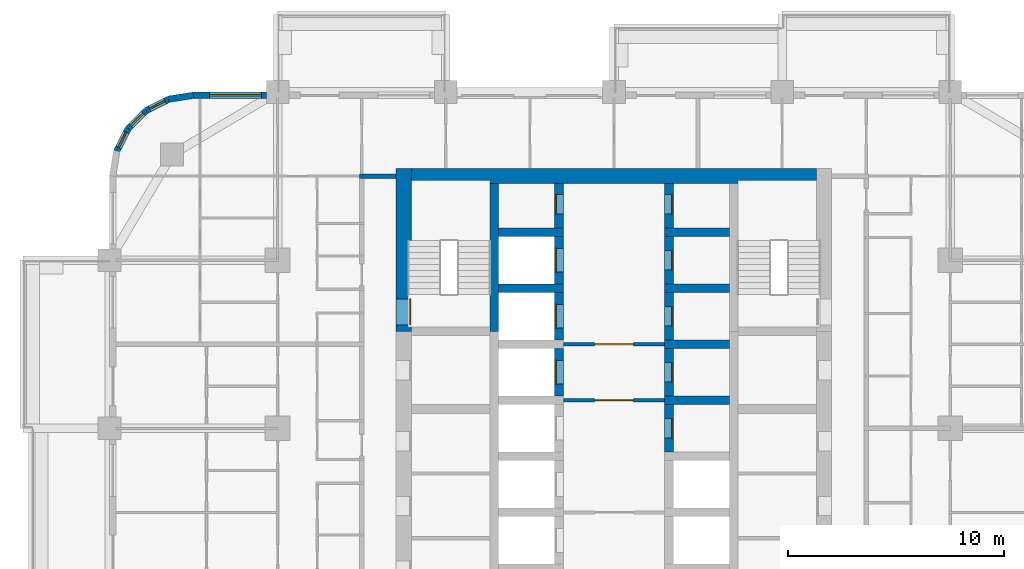
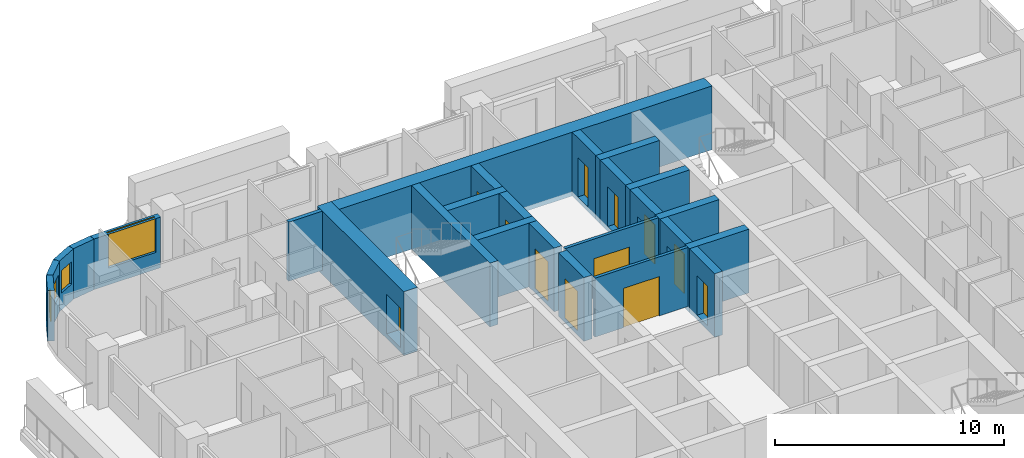
# One storey, part 11 of 18: 26 walls, 12 doors, 4 windows, 16 openings.
"""IFC4 building model written with IfcOpenShell, lengths in metres."""

import ifcopenshell
import ifcopenshell.guid

model = None  # the IFC model being written
_history = None  # IfcOwnerHistory: only IFC2X3 demands one
_inside = {}  # id of a spatial element -> (the spatial element, [elements in it])
_under = {}  # id of a project, library or spatial element -> (it, [spatial elements below it])
_declared = {}  # id of a project -> (the project, [libraries it declares])
_typed = {}  # id of a type object -> (the type object, [elements of that type])
_made_of = {}  # id of a material, layer set ... -> (it, [elements and type objects made of it])


def new_model(schema):
    """Start an empty IFC model of exactly this schema.

    Asked for "IFC4X3", IfcOpenShell would pick the latest addendum, in which some entities
    have other attributes; the version numbers below select the first issue.
    IFC2X3 requires an IfcOwnerHistory on every rooted entity: one is made here for all.
    """
    global model, _history
    if schema == "IFC4X3":
        model = ifcopenshell.file(schema_version=(4, 3, 0, 0))
    else:
        model = ifcopenshell.file(schema=schema)
    _inside.clear()
    _under.clear()
    _declared.clear()
    _typed.clear()
    _made_of.clear()
    _history = None
    if model.schema == "IFC2X3":
        org = make("IfcOrganization", Name="unknown")
        user = make(
            "IfcPersonAndOrganization",
            ThePerson=make("IfcPerson", FamilyName="unknown"),
            TheOrganization=org,
        )
        app = make(
            "IfcApplication",
            ApplicationDeveloper=org,
            Version="unknown",
            ApplicationFullName="unknown",
            ApplicationIdentifier="unknown",
        )
        _history = make(
            "IfcOwnerHistory",
            OwningUser=user,
            OwningApplication=app,
            ChangeAction="ADDED",
            CreationDate=0,
        )
    return model


def make(cls, **values):
    """One entity of the class cls with the attributes given. An attribute that is None is left unset."""
    return model.create_entity(
        cls, **{name: value for name, value in values.items() if value is not None}
    )


def rooted(cls, **values):
    """An entity with a GlobalId (a new one), such as an element, a storey or a relation."""
    return make(cls, GlobalId=ifcopenshell.guid.new(), OwnerHistory=_history, **values)


def si_unit(unit_type, name, prefix=None):
    """IfcSIUnit, for example si_unit("LENGTHUNIT", "METRE", prefix="MILLI")."""
    return make("IfcSIUnit", UnitType=unit_type, Prefix=prefix, Name=name)


def assignment(units):
    """IfcUnitAssignment: the units of a project."""
    return None if units is None else make("IfcUnitAssignment", Units=units)


def point(xyz):
    """IfcCartesianPoint."""
    return None if xyz is None else make("IfcCartesianPoint", Coordinates=xyz)


def direction(xyz):
    """IfcDirection."""
    return None if xyz is None else make("IfcDirection", DirectionRatios=xyz)


def frame(location, z_axis=None, x_axis=None):
    """IfcAxis2Placement3D, a coordinate frame: its origin and axes. An axis left out is left unset."""
    return make(
        "IfcAxis2Placement3D",
        Location=point(location),
        Axis=direction(z_axis),
        RefDirection=direction(x_axis),
    )


def frame_2d(location, x_axis=None):
    """IfcAxis2Placement2D, a coordinate frame in the plane: its origin and x axis."""
    return make(
        "IfcAxis2Placement2D", Location=point(location), RefDirection=direction(x_axis)
    )


def origin():
    """The frame at (0, 0, 0) with its axes left unset."""
    return frame((0.0, 0.0, 0.0))


def place(relative_to, where):
    """IfcLocalPlacement: puts the frame where relative to a parent placement (None: the world)."""
    return make(
        "IfcLocalPlacement", PlacementRelTo=relative_to, RelativePlacement=where
    )


def context(
    kind, dimensions, precision=None, world=None, true_north=None, identifier=None
):
    """IfcGeometricRepresentationContext, for example the 3D "Model" context."""
    return make(
        "IfcGeometricRepresentationContext",
        ContextIdentifier=identifier,
        ContextType=kind,
        CoordinateSpaceDimension=dimensions,
        Precision=precision,
        WorldCoordinateSystem=world,
        TrueNorth=true_north,
    )


def subcontext(parent, identifier, kind, view, scale=None):
    """IfcGeometricRepresentationSubContext, for example "Body" below "Model"."""
    return make(
        "IfcGeometricRepresentationSubContext",
        ContextIdentifier=identifier,
        ContextType=kind,
        ParentContext=parent,
        TargetScale=scale,
        TargetView=view,
    )


def project(units=None, contexts=None):
    """IfcProject with its units and contexts."""
    return rooted(
        "IfcProject",
        Name="project",
        RepresentationContexts=contexts,
        UnitsInContext=assignment(units),
    )


def spatial(cls, under=None, at=None, **own):
    """A site, building, storey or space (cls), placed at a placement, below another one or the project."""
    s = rooted(cls, ObjectPlacement=at, **own)
    if under is not None:
        _under.setdefault(under.id(), (under, []))[1].append(s)
    return s


def profile(cls, at=None, kind="AREA", **sizes):
    """A parametric profile (cls). Its sizes go by their IFC names, for example OverallWidth=200.0."""
    return make(cls, ProfileType=kind, Position=at, **sizes)


def rectangle(**sizes):
    """IfcRectangleProfileDef."""
    return profile("IfcRectangleProfileDef", **sizes)


def extrude(swept, where, along, depth):
    """IfcExtrudedAreaSolid: the profile swept, set in the frame where, extruded along a direction by depth."""
    return make(
        "IfcExtrudedAreaSolid",
        SweptArea=swept,
        Position=where,
        ExtrudedDirection=direction(along),
        Depth=depth,
    )


def shape(context_of_items, identifier, shape_type, items):
    """IfcShapeRepresentation: the items that make up one representation, for example the "Body"."""
    return make(
        "IfcShapeRepresentation",
        ContextOfItems=context_of_items,
        RepresentationIdentifier=identifier,
        RepresentationType=shape_type,
        Items=items,
    )


def material(Name=None, Category=None):
    """IfcMaterial."""
    return make("IfcMaterial", Name=Name, Category=Category)


def layer(
    of_material, thickness, ventilated=None, Name=None, Category=None, Priority=None
):
    """IfcMaterialLayer: one layer of a wall or slab, of a material (None: an air gap)."""
    return make(
        "IfcMaterialLayer",
        Material=of_material,
        LayerThickness=thickness,
        IsVentilated=ventilated,
        Name=Name,
        Category=Category,
        Priority=Priority,
    )


def layer_set(layers, Name=None):
    """IfcMaterialLayerSet."""
    return make("IfcMaterialLayerSet", MaterialLayers=layers, LayerSetName=Name)


def made_of(thing, what):
    """Note that an element or type object is made of a material, layer set ...; save() writes the relation."""
    if what is not None:
        _made_of.setdefault(what.id(), (what, []))[1].append(thing)
    return thing


def type_object(cls, material=None, **own):
    """A type object (cls), such as IfcWallType, which elements share."""
    return made_of(rooted(cls, **own), material)


def element(
    cls,
    number,
    at=None,
    inside=None,
    cuts=None,
    type_object=None,
    material=None,
    context=None,
    identifier="Body",
    shape_type=None,
    held_by="IfcProductDefinitionShape",
    body=None,
    shapes=None,
    **own,
):
    """One element of the class cls, such as IfcWall. Its Tag is "e" and its number.

    at: its placement. inside: the storey or other place that contains it. cuts: it is an
    opening in that element (IfcRelVoidsElement). A single representation is given by context,
    identifier, shape_type and body (its items); several are given by shapes. held_by: the class
    of the entity that holds the representations. save() writes the other relations.
    """
    e = rooted(cls, Tag="e%d" % number, ObjectPlacement=at, **own)
    if body is not None:
        shapes = [shape(context, identifier, shape_type, body)]
    if shapes is not None:
        e.Representation = make(held_by, Representations=shapes)
    if inside is not None:
        _inside.setdefault(inside.id(), (inside, []))[1].append(e)
    if cuts is not None:
        rooted(
            "IfcRelVoidsElement", RelatingBuildingElement=cuts, RelatedOpeningElement=e
        )
    if type_object is not None:
        _typed.setdefault(type_object.id(), (type_object, []))[1].append(e)
    return made_of(e, material)


def fill(opening, filler):
    """IfcRelFillsElement: the door or window that sits in an opening."""
    return rooted(
        "IfcRelFillsElement",
        RelatingOpeningElement=opening,
        RelatedBuildingElement=filler,
    )


def aggregate(whole, parts):
    """IfcRelAggregates: a whole, such as a stair, and the parts it consists of."""
    return rooted("IfcRelAggregates", RelatingObject=whole, RelatedObjects=parts)


def save(model, path):
    """Write the relations noted so far, then the file.

    IfcRelAggregates (storeys below a building ...), IfcRelContainedInSpatialStructure (elements
    in a storey), IfcRelDefinesByType, IfcRelAssociatesMaterial and IfcRelDeclares: one each for
    every whole, place, type object, material and project.
    """
    for whole, parts in _under.values():
        aggregate(whole, parts)
    for where, things in _inside.values():
        rooted(
            "IfcRelContainedInSpatialStructure",
            RelatedElements=things,
            RelatingStructure=where,
        )
    for kind, things in _typed.values():
        rooted("IfcRelDefinesByType", RelatedObjects=things, RelatingType=kind)
    for what, things in _made_of.values():
        rooted("IfcRelAssociatesMaterial", RelatedObjects=things, RelatingMaterial=what)
    for by, libraries in _declared.values():
        rooted("IfcRelDeclares", RelatingContext=by, RelatedDefinitions=libraries)
    model.write(path)


model = new_model("IFC4")

# Units and contexts
model_context = context("Model", 3, precision=1e-05, world=origin(), true_north=direction((0.0, 1.0)))
body_context = subcontext(model_context, "Body", "Model", "MODEL_VIEW")
ifc_project = project(units=[si_unit("LENGTHUNIT", "METRE"), si_unit("AREAUNIT", "SQUARE_METRE"), si_unit("VOLUMEUNIT", "CUBIC_METRE"), si_unit("PLANEANGLEUNIT", "RADIAN"), si_unit("MASSUNIT", "GRAM", prefix="KILO")], contexts=[model_context])

# Site, building, storey
site_placement = place(None, origin())
site = spatial("IfcSite", under=ifc_project, at=site_placement, CompositionType="ELEMENT")
building_placement = place(site_placement, origin())
building = spatial("IfcBuilding", under=site, at=building_placement, Name="Ludao Terraces", CompositionType="ELEMENT")
storey_placement = place(building_placement, frame((0.0, 0.0, 29.699951171875)))
storey = spatial("IfcBuildingStorey", under=building, at=storey_placement, Name="L07", CompositionType="ELEMENT", Elevation=29.699951171875)

# Wall, opening, door
ifc_material_1 = material(Name="Concrete C70", Category="concrete")
ifc_layer_1 = layer(ifc_material_1, 0.699951171875)
ifc_layer_set_1 = layer_set([ifc_layer_1], Name="Core wall 700 C70")
wall_type_1 = type_object("IfcWallType", Name="Core wall 700 C70", PredefinedType="SOLIDWALL", material=ifc_layer_set_1)
wall_1_placement = place(storey_placement, frame((75.25, 77.300048828125, -0.25), z_axis=(0.0, 0.0, 1.0), x_axis=(0.0, 1.0, 0.0)))
wall_1 = element("IfcWall", 1, at=wall_1_placement, inside=storey, type_object=wall_type_1, Name="Core wall L07 outer-W-S1", PredefinedType="SOLIDWALL", context=body_context, shape_type="SweptSolid", body=[
    extrude(rectangle(XDim=7.550048828125, YDim=0.699951171875, at=frame_2d((3.77490234375, 0.0))), origin(), (0.0, 0.0, 1.0), 3.400146484375),
])
opening_1_placement = place(wall_1_placement, frame((0.300048828125, 0.0, 0.25)))
opening_1 = element("IfcOpeningElement", 2, at=opening_1_placement, cuts=wall_1, Name="Opening R02-133", PredefinedType="OPENING", context=body_context, shape_type="SweptSolid", body=[
    extrude(rectangle(XDim=1.199951171875, YDim=2.10009765625, at=frame_2d((0.60009765625, 1.050048828125))), frame((0.0, 0.35986328125, 0.0), z_axis=(0.0, -1.0, 0.0), x_axis=(1.0, 0.0, 0.0)), (0.0, 0.0, 1.0), 0.719970703125),
])
ifc_material_2 = material(Name="Steel Q235", Category="steel")
door_type_1 = type_object("IfcDoorType", Name="INT Stair door 1200", OperationType="DOUBLE_DOOR_SINGLE_SWING", PredefinedType="DOOR", material=ifc_material_2)
door_1_placement = place(opening_1_placement, origin())
door_1 = element("IfcDoor", 3, at=door_1_placement, inside=storey, type_object=door_type_1, Name="DOOR 133", OperationType="DOUBLE_DOOR_SINGLE_SWING", OverallHeight=2.10009765625, OverallWidth=1.199951171875, PredefinedType="DOOR", context=body_context, shape_type="SweptSolid", body=[
    extrude(rectangle(XDim=1.199951171875, YDim=2.10009765625, at=frame_2d((0.60009765625, 1.050048828125))), frame((0.0, -0.28515625, 0.0), z_axis=(0.0, -1.0, 0.0), x_axis=(1.0, 0.0, 0.0)), (0.0, 0.0, 1.0), 0.050048828125),
])
fill(opening_1, door_1)

# Wall
wall_2_placement = place(storey_placement, frame((75.60009765625, 84.5, -0.25), z_axis=(0.0, 0.0, 1.0), x_axis=(1.0, 0.0, 0.0)))
element("IfcWall", 4, at=wall_2_placement, inside=storey, type_object=wall_type_1, Name="Core wall L07 outer-N", PredefinedType="SOLIDWALL", context=body_context, shape_type="SweptSolid", body=[
    extrude(rectangle(XDim=18.7998046875, YDim=0.699951171875, at=frame_2d((9.39990234375, 0.0))), origin(), (0.0, 0.0, 1.0), 3.400146484375),
])

# Wall, opening, window
ifc_material_3 = material(Name="Granite cladding", Category="masonry")
ifc_layer_2 = layer(ifc_material_3, 0.0400390625, Category="stone")
ifc_material_4 = material(Name="Mineral wool")
ifc_layer_3 = layer(ifc_material_4, 0.06005859375)
ifc_material_5 = material(Name="Concrete C40", Category="concrete")
ifc_layer_4 = layer(ifc_material_5, 0.199951171875, Category="concrete")
ifc_layer_set_2 = layer_set([ifc_layer_2, ifc_layer_3, ifc_layer_4], Name="ENV Stone-clad wall 300")
wall_type_2 = type_object("IfcWallType", Name="ENV Stone-clad wall 300", PredefinedType="SOLIDWALL", material=ifc_layer_set_2)
wall_3_placement = place(storey_placement, frame((65.5, 88.25, 0.0), z_axis=(0.0, 0.0, 1.0), x_axis=(1.0, 0.0, 0.0)))
wall_3 = element("IfcWall", 5, at=wall_3_placement, inside=storey, type_object=wall_type_2, Name="EW-L07-N1", PredefinedType="SOLIDWALL", context=body_context, shape_type="SweptSolid", body=[
    extrude(rectangle(XDim=3.375, YDim=0.300048828125, at=frame_2d((1.6875, 0.0))), origin(), (0.0, 0.0, 1.0), 2.699951171875),
])
opening_2_placement = place(wall_3_placement, frame((0.75, 0.0, 0.89990234375)))
opening_2 = element("IfcOpeningElement", 6, at=opening_2_placement, cuts=wall_3, Name="Opening W1", PredefinedType="OPENING", context=body_context, shape_type="SweptSolid", body=[
    extrude(rectangle(XDim=2.39990234375, YDim=1.800048828125, at=frame_2d((1.199951171875, 0.89990234375))), frame((0.0, 0.16015625, 0.0), z_axis=(0.0, -1.0, 0.0), x_axis=(1.0, 0.0, 0.0)), (0.0, 0.0, 1.0), 0.320068359375),
])
ifc_material_6 = material(Name="Clear glass in aluminium frame", Category="aluminium")
ifc_layer_5 = layer(ifc_material_6, 0.06005859375)
ifc_layer_set_3 = layer_set([ifc_layer_5], Name="ENV Window W1 2400x1800")
window_type_1 = type_object("IfcWindowType", Name="ENV Window W1 2400x1800", PartitioningType="DOUBLE_PANEL_VERTICAL", PredefinedType="WINDOW", material=ifc_layer_set_3)
window_1_placement = place(opening_2_placement, origin())
window_1 = element("IfcWindow", 7, at=window_1_placement, inside=storey, type_object=window_type_1, Name="W-L07-N1-1", OverallHeight=1.800048828125, OverallWidth=2.39990234375, PartitioningType="DOUBLE_PANEL_VERTICAL", PredefinedType="WINDOW", context=body_context, shape_type="SweptSolid", body=[
    extrude(rectangle(XDim=2.39990234375, YDim=1.800048828125, at=frame_2d((1.199951171875, 0.89990234375))), frame((0.0, 0.030029296875, 0.0), z_axis=(0.0, -1.0, 0.0), x_axis=(1.0, 0.0, 0.0)), (0.0, 0.0, 1.0), 0.06005859375),
])
fill(opening_2, window_1)

# Wall
wall_4_placement = place(storey_placement, frame((65.5, 88.25, 0.0), z_axis=(0.0, 0.0, 1.0), x_axis=(-0.987678452879, -0.156496880861, 0.0)))
element("IfcWall", 8, at=wall_4_placement, inside=storey, type_object=wall_type_2, Name="EW-L07-NW1", PredefinedType="SOLIDWALL", context=body_context, shape_type="SweptSolid", body=[
    extrude(rectangle(XDim=1.173095703125, YDim=0.300048828125, at=frame_2d((0.58642578125, 0.0))), origin(), (0.0, 0.0, 1.0), 2.699951171875),
])

# Wall, opening, window
wall_5_placement = place(storey_placement, frame((64.34130859375, 88.06640625, 0.0), z_axis=(0.0, 0.0, 1.0), x_axis=(-0.890988677504, -0.454025524128, 0.0)))
wall_5 = element("IfcWall", 9, at=wall_5_placement, inside=storey, type_object=wall_type_2, Name="EW-L07-NW2", PredefinedType="SOLIDWALL", context=body_context, shape_type="SweptSolid", body=[
    extrude(rectangle(XDim=1.17333984375, YDim=0.300048828125, at=frame_2d((0.586669921875, 0.0))), origin(), (0.0, 0.0, 1.0), 2.699951171875),
])
opening_3_placement = place(wall_5_placement, frame((0.1865234375, 0.0, 0.89990234375)))
opening_3 = element("IfcOpeningElement", 10, at=opening_3_placement, cuts=wall_5, Name="Opening W3", PredefinedType="OPENING", context=body_context, shape_type="SweptSolid", body=[
    extrude(rectangle(XDim=0.800048828125, YDim=1.199951171875, at=frame_2d((0.39990234375, 0.60009765625))), frame((0.0, 0.16015625, 0.0), z_axis=(0.0, -1.0, 0.0), x_axis=(1.0, 0.0, 0.0)), (0.0, 0.0, 1.0), 0.320068359375),
])
ifc_layer_6 = layer(ifc_material_6, 0.06005859375)
ifc_layer_set_4 = layer_set([ifc_layer_6], Name="ENV Window W3 800x1200")
window_type_2 = type_object("IfcWindowType", Name="ENV Window W3 800x1200", PartitioningType="SINGLE_PANEL", PredefinedType="WINDOW", material=ifc_layer_set_4)
window_2_placement = place(opening_3_placement, origin())
window_2 = element("IfcWindow", 11, at=window_2_placement, inside=storey, type_object=window_type_2, Name="W-L07-NW2", OverallHeight=1.199951171875, OverallWidth=0.800048828125, PartitioningType="SINGLE_PANEL", PredefinedType="WINDOW", context=body_context, shape_type="SweptSolid", body=[
    extrude(rectangle(XDim=0.800048828125, YDim=1.199951171875, at=frame_2d((0.39990234375, 0.60009765625))), frame((0.0, 0.030029296875, 0.0), z_axis=(0.0, -1.0, 0.0), x_axis=(1.0, 0.0, 0.0)), (0.0, 0.0, 1.0), 0.06005859375),
])
fill(opening_3, window_2)

wall_6_placement = place(storey_placement, frame((63.2958984375, 87.53369140625, 0.0), z_axis=(0.0, 0.0, 1.0), x_axis=(-0.707106781187, -0.707106781187, 0.0)))
wall_6 = element("IfcWall", 12, at=wall_6_placement, inside=storey, type_object=wall_type_2, Name="EW-L07-NW3", PredefinedType="SOLIDWALL", context=body_context, shape_type="SweptSolid", body=[
    extrude(rectangle(XDim=1.173095703125, YDim=0.300048828125, at=frame_2d((0.58642578125, 0.0))), origin(), (0.0, 0.0, 1.0), 2.699951171875),
])
opening_4_placement = place(wall_6_placement, frame((0.1865234375, 0.0, 0.89990234375)))
opening_4 = element("IfcOpeningElement", 13, at=opening_4_placement, cuts=wall_6, Name="Opening W3", PredefinedType="OPENING", context=body_context, shape_type="SweptSolid", body=[
    extrude(rectangle(XDim=0.800048828125, YDim=1.199951171875, at=frame_2d((0.39990234375, 0.60009765625))), frame((0.0, 0.16015625, 0.0), z_axis=(0.0, -1.0, 0.0), x_axis=(1.0, 0.0, 0.0)), (0.0, 0.0, 1.0), 0.320068359375),
])
window_3_placement = place(opening_4_placement, origin())
window_3 = element("IfcWindow", 14, at=window_3_placement, inside=storey, type_object=window_type_2, Name="W-L07-NW3", OverallHeight=1.199951171875, OverallWidth=0.800048828125, PartitioningType="SINGLE_PANEL", PredefinedType="WINDOW", context=body_context, shape_type="SweptSolid", body=[
    extrude(rectangle(XDim=0.800048828125, YDim=1.199951171875, at=frame_2d((0.39990234375, 0.60009765625))), frame((0.0, 0.030029296875, 0.0), z_axis=(0.0, -1.0, 0.0), x_axis=(1.0, 0.0, 0.0)), (0.0, 0.0, 1.0), 0.06005859375),
])
fill(opening_4, window_3)

wall_7_placement = place(storey_placement, frame((62.46630859375, 86.7041015625, 0.0), z_axis=(0.0, 0.0, 1.0), x_axis=(-0.454025524128, -0.890988677504, 0.0)))
wall_7 = element("IfcWall", 15, at=wall_7_placement, inside=storey, type_object=wall_type_2, Name="EW-L07-NW4", PredefinedType="SOLIDWALL", context=body_context, shape_type="SweptSolid", body=[
    extrude(rectangle(XDim=1.17333984375, YDim=0.300048828125, at=frame_2d((0.586669921875, 0.0))), origin(), (0.0, 0.0, 1.0), 2.699951171875),
])
opening_5_placement = place(wall_7_placement, frame((0.1865234375, 0.0, 0.89990234375)))
opening_5 = element("IfcOpeningElement", 16, at=opening_5_placement, cuts=wall_7, Name="Opening W3", PredefinedType="OPENING", context=body_context, shape_type="SweptSolid", body=[
    extrude(rectangle(XDim=0.800048828125, YDim=1.199951171875, at=frame_2d((0.39990234375, 0.60009765625))), frame((0.0, 0.16015625, 0.0), z_axis=(0.0, -1.0, 0.0), x_axis=(1.0, 0.0, 0.0)), (0.0, 0.0, 1.0), 0.320068359375),
])
window_4_placement = place(opening_5_placement, origin())
window_4 = element("IfcWindow", 17, at=window_4_placement, inside=storey, type_object=window_type_2, Name="W-L07-NW4", OverallHeight=1.199951171875, OverallWidth=0.800048828125, PartitioningType="SINGLE_PANEL", PredefinedType="WINDOW", context=body_context, shape_type="SweptSolid", body=[
    extrude(rectangle(XDim=0.800048828125, YDim=1.199951171875, at=frame_2d((0.39990234375, 0.60009765625))), frame((0.0, 0.030029296875, 0.0), z_axis=(0.0, -1.0, 0.0), x_axis=(1.0, 0.0, 0.0)), (0.0, 0.0, 1.0), 0.06005859375),
])
fill(opening_5, window_4)

# Wall, opening, door
ifc_material_7 = material(Name="Fire-rated gypsum plasterboard", Category="gypsum")
ifc_layer_7 = layer(ifc_material_7, 0.012451171875, Category="gypsum")
ifc_layer_8 = layer(ifc_material_4, 0.10009765625, Name="insulation")
ifc_layer_9 = layer(ifc_material_2, 0.02490234375, Name="stud")
ifc_layer_10 = layer(ifc_material_7, 0.012451171875, Category="gypsum")
ifc_layer_set_5 = layer_set([ifc_layer_7, ifc_layer_8, ifc_layer_9, ifc_layer_10], Name="INT Core partition 150")
wall_type_3 = type_object("IfcWallType", Name="INT Core partition 150", PredefinedType="PARTITIONING", material=ifc_layer_set_5)
wall_8_placement = place(storey_placement, frame((82.650146484375, 74.10009765625, 0.0), z_axis=(0.0, 0.0, 1.0), x_axis=(1.0, 0.0, 0.0)))
wall_8 = element("IfcWall", 18, at=wall_8_placement, inside=storey, type_object=wall_type_3, Name="PW-L07-PW058", PredefinedType="PARTITIONING", context=body_context, shape_type="SweptSolid", body=[
    extrude(rectangle(XDim=4.699951171875, YDim=0.14990234375, at=frame_2d((2.35009765625, 0.0))), origin(), (0.0, 0.0, 1.0), 3.150146484375),
])
opening_6_placement = place(wall_8_placement, frame((1.449951171875, 0.0, 0.0)))
opening_6 = element("IfcOpeningElement", 19, at=opening_6_placement, cuts=wall_8, Name="Opening R02-116", PredefinedType="OPENING", context=body_context, shape_type="SweptSolid", body=[
    extrude(rectangle(XDim=1.800048828125, YDim=2.10009765625, at=frame_2d((0.89990234375, 1.050048828125))), frame((0.0, 0.0849609375, 0.0), z_axis=(0.0, -1.0, 0.0), x_axis=(1.0, 0.0, 0.0)), (0.0, 0.0, 1.0), 0.169921875),
])
door_type_2 = type_object("IfcDoorType", Name="INT Fire lobby door 1800", OperationType="DOUBLE_DOOR_SINGLE_SWING", PredefinedType="DOOR", material=ifc_material_2)
door_2_placement = place(opening_6_placement, origin())
door_2 = element("IfcDoor", 20, at=door_2_placement, inside=storey, type_object=door_type_2, Name="DOOR 116", OperationType="DOUBLE_DOOR_SINGLE_SWING", OverallHeight=2.10009765625, OverallWidth=1.800048828125, PredefinedType="DOOR", context=body_context, shape_type="SweptSolid", body=[
    extrude(rectangle(XDim=1.800048828125, YDim=2.10009765625, at=frame_2d((0.89990234375, 1.050048828125))), frame((0.0, 0.02490234375, 0.0), z_axis=(0.0, -1.0, 0.0), x_axis=(1.0, 0.0, 0.0)), (0.0, 0.0, 1.0), 0.050048828125),
])
fill(opening_6, door_2)

wall_9_placement = place(storey_placement, frame((82.650146484375, 76.699951171875, 0.0), z_axis=(0.0, 0.0, 1.0), x_axis=(1.0, 0.0, 0.0)))
wall_9 = element("IfcWall", 21, at=wall_9_placement, inside=storey, type_object=wall_type_3, Name="PW-L07-PW063", PredefinedType="PARTITIONING", context=body_context, shape_type="SweptSolid", body=[
    extrude(rectangle(XDim=4.699951171875, YDim=0.14990234375, at=frame_2d((2.35009765625, 0.0))), origin(), (0.0, 0.0, 1.0), 3.150146484375),
])
opening_7_placement = place(wall_9_placement, frame((1.449951171875, 0.0, 0.0)))
opening_7 = element("IfcOpeningElement", 22, at=opening_7_placement, cuts=wall_9, Name="Opening R02-127", PredefinedType="OPENING", context=body_context, shape_type="SweptSolid", body=[
    extrude(rectangle(XDim=1.800048828125, YDim=2.10009765625, at=frame_2d((0.89990234375, 1.050048828125))), frame((0.0, 0.0849609375, 0.0), z_axis=(0.0, -1.0, 0.0), x_axis=(1.0, 0.0, 0.0)), (0.0, 0.0, 1.0), 0.169921875),
])
door_3_placement = place(opening_7_placement, origin())
door_3 = element("IfcDoor", 23, at=door_3_placement, inside=storey, type_object=door_type_2, Name="DOOR 127", OperationType="DOUBLE_DOOR_SINGLE_SWING", OverallHeight=2.10009765625, OverallWidth=1.800048828125, PredefinedType="DOOR", context=body_context, shape_type="SweptSolid", body=[
    extrude(rectangle(XDim=1.800048828125, YDim=2.10009765625, at=frame_2d((0.89990234375, 1.050048828125))), frame((0.0, 0.02490234375, 0.0), z_axis=(0.0, -1.0, 0.0), x_axis=(1.0, 0.0, 0.0)), (0.0, 0.0, 1.0), 0.050048828125),
])
fill(opening_7, door_3)

# Walls
ifc_material_8 = material(Name="Autoclaved aerated concrete block B06 A3.5", Category="concrete")
ifc_layer_11 = layer(ifc_material_8, 0.199951171875)
ifc_layer_set_6 = layer_set([ifc_layer_11], Name="INT Entrance wall 200")
wall_type_4 = type_object("IfcWallType", Name="INT Entrance wall 200", PredefinedType="PARTITIONING", material=ifc_layer_set_6)
wall_10_placement = place(storey_placement, frame((73.2001953125, 84.5, 0.0), z_axis=(0.0, 0.0, 1.0), x_axis=(1.0, 0.0, 0.0)))
element("IfcWall", 24, at=wall_10_placement, inside=storey, type_object=wall_type_4, Name="PW-L07-PW078", PredefinedType="PARTITIONING", context=body_context, shape_type="SweptSolid", body=[
    extrude(rectangle(XDim=1.699951171875, YDim=0.199951171875, at=frame_2d((0.85009765625, 0.0))), origin(), (0.0, 0.0, 1.0), 3.150146484375),
])
ifc_material_9 = material(Name="Concrete C60", Category="concrete")
ifc_layer_12 = layer(ifc_material_9, 0.39990234375)
ifc_layer_set_7 = layer_set([ifc_layer_12], Name="Shaft wall 400 C60")
wall_type_5 = type_object("IfcWallType", Name="Shaft wall 400 C60", PredefinedType="SOLIDWALL", material=ifc_layer_set_7)
wall_11_placement = place(storey_placement, frame((79.449951171875, 77.300048828125, -0.25), z_axis=(0.0, 0.0, 1.0), x_axis=(0.0, 1.0, 0.0)))
element("IfcWall", 25, at=wall_11_placement, inside=storey, type_object=wall_type_5, Name="Core wall L07 back-W-S1", PredefinedType="SOLIDWALL", context=body_context, shape_type="SweptSolid", body=[
    extrude(rectangle(XDim=6.849853515625, YDim=0.39990234375, at=frame_2d((3.4248046875, 0.0))), origin(), (0.0, 0.0, 1.0), 3.400146484375),
])

# Wall, opening, door
wall_12_placement = place(storey_placement, frame((82.449951171875, 74.300048828125, -0.25), z_axis=(0.0, 0.0, 1.0), x_axis=(0.0, 1.0, 0.0)))
wall_12 = element("IfcWall", 26, at=wall_12_placement, inside=storey, type_object=wall_type_5, Name="Core wall L07 front-W6", PredefinedType="SOLIDWALL", context=body_context, shape_type="SweptSolid", body=[
    extrude(rectangle(XDim=2.199951171875, YDim=0.39990234375, at=frame_2d((1.10009765625, 0.0))), origin(), (0.0, 0.0, 1.0), 3.400146484375),
])
opening_8_placement = place(wall_12_placement, frame((0.550048828125, 0.0, 0.25)))
opening_8 = element("IfcOpeningElement", 27, at=opening_8_placement, cuts=wall_12, Name="Opening LD-LA6", PredefinedType="OPENING", context=body_context, shape_type="SweptSolid", body=[
    extrude(rectangle(XDim=1.10009765625, YDim=2.10009765625, at=frame_2d((0.550048828125, 1.050048828125))), frame((0.0, 0.2099609375, 0.0), z_axis=(0.0, -1.0, 0.0), x_axis=(1.0, 0.0, 0.0)), (0.0, 0.0, 1.0), 0.419921875),
])
ifc_material_10 = material(Name="Stainless steel 304", Category="steel")
door_type_3 = type_object("IfcDoorType", Name="INT Lift landing door 1100", OperationType="SLIDING_TO_LEFT", PredefinedType="DOOR", material=ifc_material_10)
door_4_placement = place(opening_8_placement, origin())
door_4 = element("IfcDoor", 28, at=door_4_placement, inside=storey, type_object=door_type_3, Name="LANDING DOOR LA6 L07", OperationType="SLIDING_TO_LEFT", OverallHeight=2.10009765625, OverallWidth=1.10009765625, PredefinedType="DOOR", context=body_context, shape_type="SweptSolid", body=[
    extrude(rectangle(XDim=1.10009765625, YDim=2.10009765625, at=frame_2d((0.550048828125, 1.050048828125))), frame((0.0, 0.18505859375, 0.0), z_axis=(0.0, -1.0, 0.0), x_axis=(1.0, 0.0, 0.0)), (0.0, 0.0, 1.0), 0.050048828125),
])
fill(opening_8, door_4)

wall_13_placement = place(storey_placement, frame((82.449951171875, 76.89990234375, -0.25), z_axis=(0.0, 0.0, 1.0), x_axis=(0.0, 1.0, 0.0)))
wall_13 = element("IfcWall", 29, at=wall_13_placement, inside=storey, type_object=wall_type_5, Name="Core wall L07 front-W7", PredefinedType="SOLIDWALL", context=body_context, shape_type="SweptSolid", body=[
    extrude(rectangle(XDim=2.2001953125, YDim=0.39990234375, at=frame_2d((1.10009765625, 0.0))), origin(), (0.0, 0.0, 1.0), 3.400146484375),
])
opening_9_placement = place(wall_13_placement, frame((0.550048828125, 0.0, 0.25)))
opening_9 = element("IfcOpeningElement", 30, at=opening_9_placement, cuts=wall_13, Name="Opening LD-FF1", PredefinedType="OPENING", context=body_context, shape_type="SweptSolid", body=[
    extrude(rectangle(XDim=1.10009765625, YDim=2.10009765625, at=frame_2d((0.550048828125, 1.050048828125))), frame((0.0, 0.2099609375, 0.0), z_axis=(0.0, -1.0, 0.0), x_axis=(1.0, 0.0, 0.0)), (0.0, 0.0, 1.0), 0.419921875),
])
door_5_placement = place(opening_9_placement, origin())
door_5 = element("IfcDoor", 31, at=door_5_placement, inside=storey, type_object=door_type_3, Name="LANDING DOOR FF1 L07", OperationType="SLIDING_TO_LEFT", OverallHeight=2.10009765625, OverallWidth=1.10009765625, PredefinedType="DOOR", context=body_context, shape_type="SweptSolid", body=[
    extrude(rectangle(XDim=1.10009765625, YDim=2.10009765625, at=frame_2d((0.550048828125, 1.050048828125))), frame((0.0, 0.18505859375, 0.0), z_axis=(0.0, -1.0, 0.0), x_axis=(1.0, 0.0, 0.0)), (0.0, 0.0, 1.0), 0.050048828125),
])
fill(opening_9, door_5)

# Wall
wall_14_placement = place(storey_placement, frame((79.64990234375, 79.300048828125, -0.25), z_axis=(0.0, 0.0, 1.0), x_axis=(1.0, 0.0, 0.0)))
element("IfcWall", 32, at=wall_14_placement, inside=storey, type_object=wall_type_5, Name="Core wall L07 div-W8", PredefinedType="SOLIDWALL", context=body_context, shape_type="SweptSolid", body=[
    extrude(rectangle(XDim=3.0, YDim=0.39990234375, at=frame_2d((1.5, 0.0))), origin(), (0.0, 0.0, 1.0), 3.400146484375),
])

# Wall, opening, door
wall_15_placement = place(storey_placement, frame((82.449951171875, 79.5, -0.25), z_axis=(0.0, 0.0, 1.0), x_axis=(0.0, 1.0, 0.0)))
wall_15 = element("IfcWall", 33, at=wall_15_placement, inside=storey, type_object=wall_type_5, Name="Core wall L07 front-W8", PredefinedType="SOLIDWALL", context=body_context, shape_type="SweptSolid", body=[
    extrude(rectangle(XDim=2.199951171875, YDim=0.39990234375, at=frame_2d((1.10009765625, 0.0))), origin(), (0.0, 0.0, 1.0), 3.400146484375),
])
opening_10_placement = place(wall_15_placement, frame((0.550048828125, 0.0, 0.25)))
opening_10 = element("IfcOpeningElement", 34, at=opening_10_placement, cuts=wall_15, Name="Opening LD-FF2", PredefinedType="OPENING", context=body_context, shape_type="SweptSolid", body=[
    extrude(rectangle(XDim=1.10009765625, YDim=2.10009765625, at=frame_2d((0.550048828125, 1.050048828125))), frame((0.0, 0.2099609375, 0.0), z_axis=(0.0, -1.0, 0.0), x_axis=(1.0, 0.0, 0.0)), (0.0, 0.0, 1.0), 0.419921875),
])
door_6_placement = place(opening_10_placement, origin())
door_6 = element("IfcDoor", 35, at=door_6_placement, inside=storey, type_object=door_type_3, Name="LANDING DOOR FF2 L07", OperationType="SLIDING_TO_LEFT", OverallHeight=2.10009765625, OverallWidth=1.10009765625, PredefinedType="DOOR", context=body_context, shape_type="SweptSolid", body=[
    extrude(rectangle(XDim=1.10009765625, YDim=2.10009765625, at=frame_2d((0.550048828125, 1.050048828125))), frame((0.0, 0.18505859375, 0.0), z_axis=(0.0, -1.0, 0.0), x_axis=(1.0, 0.0, 0.0)), (0.0, 0.0, 1.0), 0.050048828125),
])
fill(opening_10, door_6)

# Wall
wall_16_placement = place(storey_placement, frame((79.64990234375, 81.89990234375, -0.25), z_axis=(0.0, 0.0, 1.0), x_axis=(1.0, 0.0, 0.0)))
element("IfcWall", 36, at=wall_16_placement, inside=storey, type_object=wall_type_5, Name="Core wall L07 div-W9", PredefinedType="SOLIDWALL", context=body_context, shape_type="SweptSolid", body=[
    extrude(rectangle(XDim=3.0, YDim=0.39990234375, at=frame_2d((1.5, 0.0))), origin(), (0.0, 0.0, 1.0), 3.400146484375),
])

# Wall, opening, door
wall_17_placement = place(storey_placement, frame((82.449951171875, 82.10009765625, -0.25), z_axis=(0.0, 0.0, 1.0), x_axis=(0.0, 1.0, 0.0)))
wall_17 = element("IfcWall", 37, at=wall_17_placement, inside=storey, type_object=wall_type_5, Name="Core wall L07 front-W9", PredefinedType="SOLIDWALL", context=body_context, shape_type="SweptSolid", body=[
    extrude(rectangle(XDim=2.0498046875, YDim=0.39990234375, at=frame_2d((1.02490234375, 0.0))), origin(), (0.0, 0.0, 1.0), 3.400146484375),
])
opening_11_placement = place(wall_17_placement, frame((0.64990234375, 0.0, 0.25)))
opening_11 = element("IfcOpeningElement", 38, at=opening_11_placement, cuts=wall_17, Name="Opening R02-148", PredefinedType="OPENING", context=body_context, shape_type="SweptSolid", body=[
    extrude(rectangle(XDim=0.89990234375, YDim=2.10009765625, at=frame_2d((0.449951171875, 1.050048828125))), frame((0.0, 0.2099609375, 0.0), z_axis=(0.0, -1.0, 0.0), x_axis=(1.0, 0.0, 0.0)), (0.0, 0.0, 1.0), 0.419921875),
])
ifc_material_11 = material(Name="Timber door leaf", Category="wood")
door_type_4 = type_object("IfcDoorType", Name="INT Room door 900", OperationType="SINGLE_SWING_LEFT", PredefinedType="DOOR", material=ifc_material_11)
door_7_placement = place(opening_11_placement, origin())
door_7 = element("IfcDoor", 39, at=door_7_placement, inside=storey, type_object=door_type_4, Name="DOOR 148", OperationType="SINGLE_SWING_RIGHT", OverallHeight=2.10009765625, OverallWidth=0.89990234375, PredefinedType="DOOR", context=body_context, shape_type="SweptSolid", body=[
    extrude(rectangle(XDim=0.89990234375, YDim=2.10009765625, at=frame_2d((0.449951171875, 1.050048828125))), frame((0.0, 0.18505859375, 0.0), z_axis=(0.0, -1.0, 0.0), x_axis=(1.0, 0.0, 0.0)), (0.0, 0.0, 1.0), 0.050048828125),
])
fill(opening_11, door_7)

wall_18_placement = place(storey_placement, frame((87.550048828125, 71.699951171875, -0.25), z_axis=(0.0, 0.0, 1.0), x_axis=(0.0, 1.0, 0.0)))
wall_18 = element("IfcWall", 40, at=wall_18_placement, inside=storey, type_object=wall_type_5, Name="Core wall L07 front-E5", PredefinedType="SOLIDWALL", context=body_context, shape_type="SweptSolid", body=[
    extrude(rectangle(XDim=2.199951171875, YDim=0.39990234375, at=frame_2d((1.10009765625, 0.0))), origin(), (0.0, 0.0, 1.0), 3.400146484375),
])
opening_12_placement = place(wall_18_placement, frame((0.64990234375, 0.0, 0.25)))
opening_12 = element("IfcOpeningElement", 41, at=opening_12_placement, cuts=wall_18, Name="Opening R02-112", PredefinedType="OPENING", context=body_context, shape_type="SweptSolid", body=[
    extrude(rectangle(XDim=0.89990234375, YDim=2.10009765625, at=frame_2d((0.449951171875, 1.050048828125))), frame((0.0, 0.2099609375, 0.0), z_axis=(0.0, -1.0, 0.0), x_axis=(1.0, 0.0, 0.0)), (0.0, 0.0, 1.0), 0.419921875),
])
door_8_placement = place(opening_12_placement, origin())
door_8 = element("IfcDoor", 42, at=door_8_placement, inside=storey, type_object=door_type_4, Name="DOOR 112", OperationType="SINGLE_SWING_RIGHT", OverallHeight=2.10009765625, OverallWidth=0.89990234375, PredefinedType="DOOR", context=body_context, shape_type="SweptSolid", body=[
    extrude(rectangle(XDim=0.89990234375, YDim=2.10009765625, at=frame_2d((0.449951171875, 1.050048828125))), frame((0.0, -0.134765625, 0.0), z_axis=(0.0, -1.0, 0.0), x_axis=(1.0, 0.0, 0.0)), (0.0, 0.0, 1.0), 0.050048828125),
])
fill(opening_12, door_8)

# Wall
wall_19_placement = place(storey_placement, frame((87.35009765625, 74.10009765625, -0.25), z_axis=(0.0, 0.0, 1.0), x_axis=(1.0, 0.0, 0.0)))
element("IfcWall", 43, at=wall_19_placement, inside=storey, type_object=wall_type_5, Name="Core wall L07 div-E6", PredefinedType="SOLIDWALL", context=body_context, shape_type="SweptSolid", body=[
    extrude(rectangle(XDim=3.0, YDim=0.39990234375, at=frame_2d((1.5, 0.0))), origin(), (0.0, 0.0, 1.0), 3.400146484375),
])

# Wall, opening, door
wall_20_placement = place(storey_placement, frame((87.550048828125, 74.300048828125, -0.25), z_axis=(0.0, 0.0, 1.0), x_axis=(0.0, 1.0, 0.0)))
wall_20 = element("IfcWall", 44, at=wall_20_placement, inside=storey, type_object=wall_type_5, Name="Core wall L07 front-E6", PredefinedType="SOLIDWALL", context=body_context, shape_type="SweptSolid", body=[
    extrude(rectangle(XDim=2.199951171875, YDim=0.39990234375, at=frame_2d((1.10009765625, 0.0))), origin(), (0.0, 0.0, 1.0), 3.400146484375),
])
opening_13_placement = place(wall_20_placement, frame((0.64990234375, 0.0, 0.25)))
opening_13 = element("IfcOpeningElement", 45, at=opening_13_placement, cuts=wall_20, Name="Opening R02-119", PredefinedType="OPENING", context=body_context, shape_type="SweptSolid", body=[
    extrude(rectangle(XDim=0.89990234375, YDim=2.10009765625, at=frame_2d((0.449951171875, 1.050048828125))), frame((0.0, 0.2099609375, 0.0), z_axis=(0.0, -1.0, 0.0), x_axis=(1.0, 0.0, 0.0)), (0.0, 0.0, 1.0), 0.419921875),
])
door_9_placement = place(opening_13_placement, origin())
door_9 = element("IfcDoor", 46, at=door_9_placement, inside=storey, type_object=door_type_4, Name="DOOR 119", OperationType="SINGLE_SWING_RIGHT", OverallHeight=2.10009765625, OverallWidth=0.89990234375, PredefinedType="DOOR", context=body_context, shape_type="SweptSolid", body=[
    extrude(rectangle(XDim=0.89990234375, YDim=2.10009765625, at=frame_2d((0.449951171875, 1.050048828125))), frame((0.0, -0.134765625, 0.0), z_axis=(0.0, -1.0, 0.0), x_axis=(1.0, 0.0, 0.0)), (0.0, 0.0, 1.0), 0.050048828125),
])
fill(opening_13, door_9)

# Wall
wall_21_placement = place(storey_placement, frame((87.35009765625, 76.699951171875, -0.25), z_axis=(0.0, 0.0, 1.0), x_axis=(1.0, 0.0, 0.0)))
element("IfcWall", 47, at=wall_21_placement, inside=storey, type_object=wall_type_5, Name="Core wall L07 div-E7", PredefinedType="SOLIDWALL", context=body_context, shape_type="SweptSolid", body=[
    extrude(rectangle(XDim=3.0, YDim=0.39990234375, at=frame_2d((1.5, 0.0))), origin(), (0.0, 0.0, 1.0), 3.400146484375),
])

# Wall, opening, door
wall_22_placement = place(storey_placement, frame((87.550048828125, 76.89990234375, -0.25), z_axis=(0.0, 0.0, 1.0), x_axis=(0.0, 1.0, 0.0)))
wall_22 = element("IfcWall", 48, at=wall_22_placement, inside=storey, type_object=wall_type_5, Name="Core wall L07 front-E7", PredefinedType="SOLIDWALL", context=body_context, shape_type="SweptSolid", body=[
    extrude(rectangle(XDim=2.2001953125, YDim=0.39990234375, at=frame_2d((1.10009765625, 0.0))), origin(), (0.0, 0.0, 1.0), 3.400146484375),
])
opening_14_placement = place(wall_22_placement, frame((0.64990234375, 0.0, 0.25)))
opening_14 = element("IfcOpeningElement", 49, at=opening_14_placement, cuts=wall_22, Name="Opening R02-132", PredefinedType="OPENING", context=body_context, shape_type="SweptSolid", body=[
    extrude(rectangle(XDim=0.89990234375, YDim=2.10009765625, at=frame_2d((0.449951171875, 1.050048828125))), frame((0.0, 0.2099609375, 0.0), z_axis=(0.0, -1.0, 0.0), x_axis=(1.0, 0.0, 0.0)), (0.0, 0.0, 1.0), 0.419921875),
])
door_10_placement = place(opening_14_placement, origin())
door_10 = element("IfcDoor", 50, at=door_10_placement, inside=storey, type_object=door_type_4, Name="DOOR 132", OperationType="SINGLE_SWING_RIGHT", OverallHeight=2.10009765625, OverallWidth=0.89990234375, PredefinedType="DOOR", context=body_context, shape_type="SweptSolid", body=[
    extrude(rectangle(XDim=0.89990234375, YDim=2.10009765625, at=frame_2d((0.449951171875, 1.050048828125))), frame((0.0, -0.134765625, 0.0), z_axis=(0.0, -1.0, 0.0), x_axis=(1.0, 0.0, 0.0)), (0.0, 0.0, 1.0), 0.050048828125),
])
fill(opening_14, door_10)

# Wall
wall_23_placement = place(storey_placement, frame((87.35009765625, 79.300048828125, -0.25), z_axis=(0.0, 0.0, 1.0), x_axis=(1.0, 0.0, 0.0)))
element("IfcWall", 51, at=wall_23_placement, inside=storey, type_object=wall_type_5, Name="Core wall L07 div-E8", PredefinedType="SOLIDWALL", context=body_context, shape_type="SweptSolid", body=[
    extrude(rectangle(XDim=3.0, YDim=0.39990234375, at=frame_2d((1.5, 0.0))), origin(), (0.0, 0.0, 1.0), 3.400146484375),
])

# Wall, opening, door
wall_24_placement = place(storey_placement, frame((87.550048828125, 79.5, -0.25), z_axis=(0.0, 0.0, 1.0), x_axis=(0.0, 1.0, 0.0)))
wall_24 = element("IfcWall", 52, at=wall_24_placement, inside=storey, type_object=wall_type_5, Name="Core wall L07 front-E8", PredefinedType="SOLIDWALL", context=body_context, shape_type="SweptSolid", body=[
    extrude(rectangle(XDim=2.199951171875, YDim=0.39990234375, at=frame_2d((1.10009765625, 0.0))), origin(), (0.0, 0.0, 1.0), 3.400146484375),
])
opening_15_placement = place(wall_24_placement, frame((0.64990234375, 0.0, 0.25)))
opening_15 = element("IfcOpeningElement", 53, at=opening_15_placement, cuts=wall_24, Name="Opening R02-143", PredefinedType="OPENING", context=body_context, shape_type="SweptSolid", body=[
    extrude(rectangle(XDim=0.89990234375, YDim=2.10009765625, at=frame_2d((0.449951171875, 1.050048828125))), frame((0.0, 0.2099609375, 0.0), z_axis=(0.0, -1.0, 0.0), x_axis=(1.0, 0.0, 0.0)), (0.0, 0.0, 1.0), 0.419921875),
])
door_11_placement = place(opening_15_placement, origin())
door_11 = element("IfcDoor", 54, at=door_11_placement, inside=storey, type_object=door_type_4, Name="DOOR 143", OperationType="SINGLE_SWING_LEFT", OverallHeight=2.10009765625, OverallWidth=0.89990234375, PredefinedType="DOOR", context=body_context, shape_type="SweptSolid", body=[
    extrude(rectangle(XDim=0.89990234375, YDim=2.10009765625, at=frame_2d((0.449951171875, 1.050048828125))), frame((0.0, -0.134765625, 0.0), z_axis=(0.0, -1.0, 0.0), x_axis=(1.0, 0.0, 0.0)), (0.0, 0.0, 1.0), 0.050048828125),
])
fill(opening_15, door_11)

# Wall
wall_25_placement = place(storey_placement, frame((87.35009765625, 81.89990234375, -0.25), z_axis=(0.0, 0.0, 1.0), x_axis=(1.0, 0.0, 0.0)))
element("IfcWall", 55, at=wall_25_placement, inside=storey, type_object=wall_type_5, Name="Core wall L07 div-E9", PredefinedType="SOLIDWALL", context=body_context, shape_type="SweptSolid", body=[
    extrude(rectangle(XDim=3.0, YDim=0.39990234375, at=frame_2d((1.5, 0.0))), origin(), (0.0, 0.0, 1.0), 3.400146484375),
])

# Wall, opening, door
wall_26_placement = place(storey_placement, frame((87.550048828125, 82.10009765625, -0.25), z_axis=(0.0, 0.0, 1.0), x_axis=(0.0, 1.0, 0.0)))
wall_26 = element("IfcWall", 56, at=wall_26_placement, inside=storey, type_object=wall_type_5, Name="Core wall L07 front-E9", PredefinedType="SOLIDWALL", context=body_context, shape_type="SweptSolid", body=[
    extrude(rectangle(XDim=2.0498046875, YDim=0.39990234375, at=frame_2d((1.02490234375, 0.0))), origin(), (0.0, 0.0, 1.0), 3.400146484375),
])
opening_16_placement = place(wall_26_placement, frame((0.64990234375, 0.0, 0.25)))
opening_16 = element("IfcOpeningElement", 57, at=opening_16_placement, cuts=wall_26, Name="Opening R02-149", PredefinedType="OPENING", context=body_context, shape_type="SweptSolid", body=[
    extrude(rectangle(XDim=0.89990234375, YDim=2.10009765625, at=frame_2d((0.449951171875, 1.050048828125))), frame((0.0, 0.2099609375, 0.0), z_axis=(0.0, -1.0, 0.0), x_axis=(1.0, 0.0, 0.0)), (0.0, 0.0, 1.0), 0.419921875),
])
door_12_placement = place(opening_16_placement, origin())
door_12 = element("IfcDoor", 58, at=door_12_placement, inside=storey, type_object=door_type_4, Name="DOOR 149", OperationType="SINGLE_SWING_LEFT", OverallHeight=2.10009765625, OverallWidth=0.89990234375, PredefinedType="DOOR", context=body_context, shape_type="SweptSolid", body=[
    extrude(rectangle(XDim=0.89990234375, YDim=2.10009765625, at=frame_2d((0.449951171875, 1.050048828125))), frame((0.0, -0.134765625, 0.0), z_axis=(0.0, -1.0, 0.0), x_axis=(1.0, 0.0, 0.0)), (0.0, 0.0, 1.0), 0.050048828125),
])
fill(opening_16, door_12)

save(model, "model.ifc")
